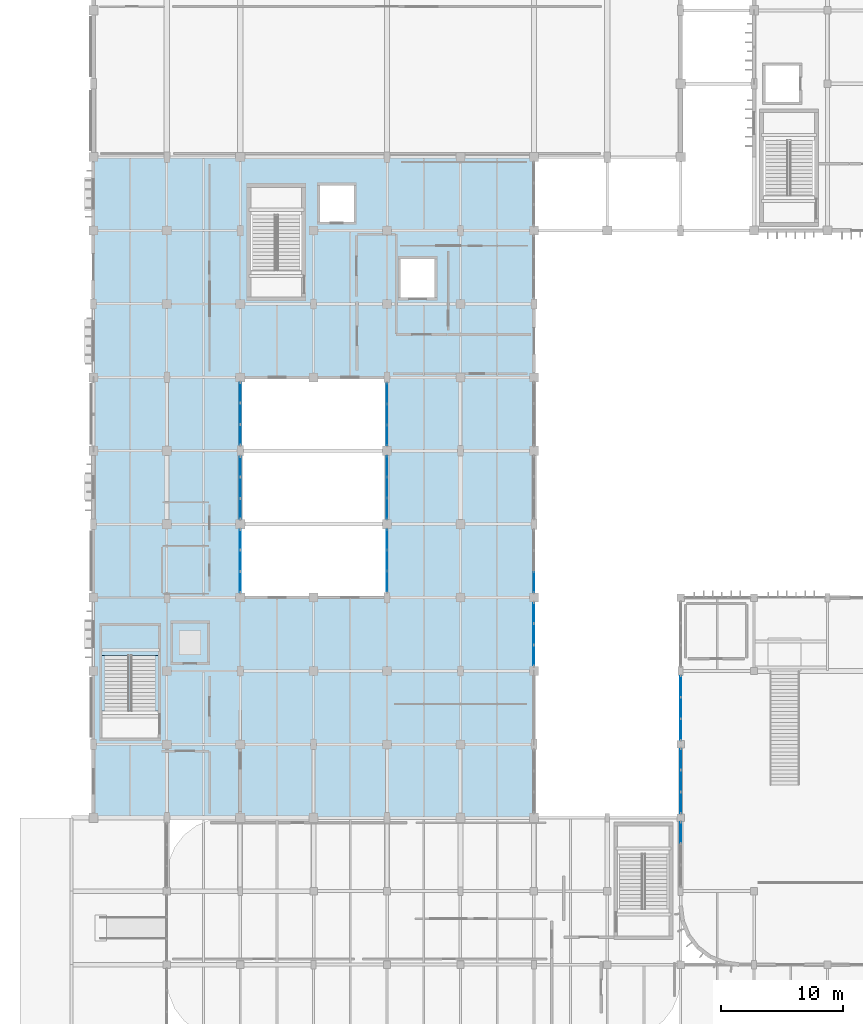
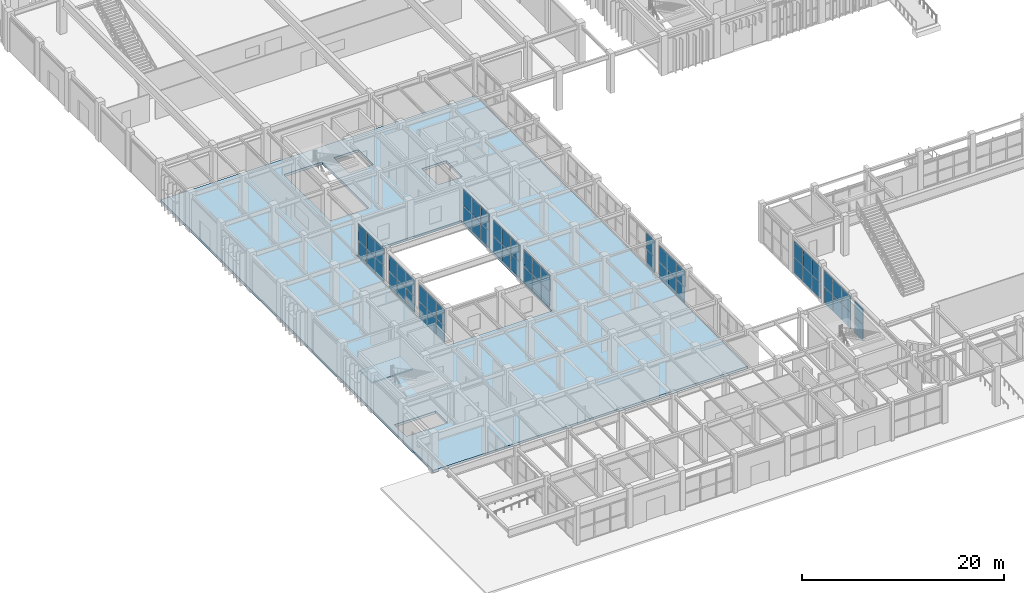
# One storey, part 34 of 76: 58 plates, 2 slabs, 12 elements without a shape of their own.
"""IFC4 building model written with IfcOpenShell, lengths in metres."""

from ifc_helpers import new_model, si_unit, direction, frame, origin, origin_2d, place, context, subcontext, project, spatial, polyline, rectangle, outline, extrude, material, layer, layer_set, type_object, element, aggregate, save


model = new_model("IFC4")

# Units and contexts
model_context = context("Model", 3, precision=1e-05, world=origin(), true_north=direction((0.0, 1.0)))
body_context = subcontext(model_context, "Body", "Model", "MODEL_VIEW")
ifc_project = project(units=[si_unit("LENGTHUNIT", "METRE"), si_unit("AREAUNIT", "SQUARE_METRE"), si_unit("VOLUMEUNIT", "CUBIC_METRE"), si_unit("PLANEANGLEUNIT", "RADIAN"), si_unit("MASSUNIT", "GRAM", prefix="KILO")], contexts=[model_context])

# Site, building, storey
site_placement = place(None, origin())
site = spatial("IfcSite", under=ifc_project, at=site_placement, CompositionType="ELEMENT")
building_placement = place(site_placement, origin())
building = spatial("IfcBuilding", under=site, at=building_placement, Name="Varnakota Square Police Headquarters", CompositionType="ELEMENT")
storey_placement = place(building_placement, origin())
storey = spatial("IfcBuildingStorey", under=building, at=storey_placement, Name="L00", CompositionType="ELEMENT", Elevation=0.0)

# Curtain wall, plates
ifc_material_1 = material(Name="Anodised Aluminium Framing", Category="aluminium")
curtain_wall_type_1 = type_object("IfcCurtainWallType", Name="CW-SYS-F", PredefinedType="NOTDEFINED", material=ifc_material_1)
curtain_wall_1_placement = place(storey_placement, origin())
curtain_wall_1 = element("IfcCurtainWall", 1, at=curtain_wall_1_placement, inside=storey, type_object=curtain_wall_type_1, Name="Unitised curtain wall CWG-L00-135", PredefinedType="NOTDEFINED")
ifc_material_2 = material(Name="Solar-Control Laminated Double Glazing", Category="glass")
ifc_layer_1 = layer(ifc_material_2, 0.028076171875, Name="Solar-Control Laminated Double Glazing")
ifc_layer_set_1 = layer_set([ifc_layer_1], Name="Solar-Control Laminated Double Glazing")
plate_type_1 = type_object("IfcPlateType", Name="CWP-GLZ-28", PredefinedType="CURTAIN_PANEL", material=ifc_layer_set_1)
plate_1_placement = place(storey_placement, frame((30.0, 40.313720703125, 0.074951171875), z_axis=(0.0, 0.0, 1.0), x_axis=(0.0, 1.0, 0.0)))
plate_1 = element("IfcPlate", 2, at=plate_1_placement, type_object=plate_type_1, Name="CWG-L00-135 panel 1.1", PredefinedType="CURTAIN_PANEL", context=body_context, shape_type="SweptSolid", body=[
    extrude(rectangle(XDim=1.617431640625, YDim=0.028076171875, at=origin_2d()), origin(), (0.0, 0.0, 1.0), 1.9326171875),
])
plate_2_placement = place(storey_placement, frame((30.0, 42.02490234375, 0.074951171875), z_axis=(0.0, 0.0, 1.0), x_axis=(0.0, 1.0, 0.0)))
plate_2 = element("IfcPlate", 3, at=plate_2_placement, type_object=plate_type_1, Name="CWG-L00-135 panel 2.1", PredefinedType="CURTAIN_PANEL", context=body_context, shape_type="SweptSolid", body=[
    extrude(rectangle(XDim=1.655029296875, YDim=0.028076171875, at=origin_2d()), origin(), (0.0, 0.0, 1.0), 1.9326171875),
])
plate_3_placement = place(storey_placement, frame((30.0, 43.736328125, 0.074951171875), z_axis=(0.0, 0.0, 1.0), x_axis=(0.0, 1.0, 0.0)))
plate_3 = element("IfcPlate", 4, at=plate_3_placement, type_object=plate_type_1, Name="CWG-L00-135 panel 3.1", PredefinedType="CURTAIN_PANEL", context=body_context, shape_type="SweptSolid", body=[
    extrude(rectangle(XDim=1.617431640625, YDim=0.028076171875, at=origin_2d()), origin(), (0.0, 0.0, 1.0), 1.9326171875),
])

curtain_wall_2_placement = place(storey_placement, origin())
curtain_wall_2 = element("IfcCurtainWall", 5, at=curtain_wall_2_placement, inside=storey, type_object=curtain_wall_type_1, Name="Unitised curtain wall CWG-L00-139", PredefinedType="NOTDEFINED")
plate_4_placement = place(storey_placement, frame((30.0, 52.263671875, 0.074951171875), z_axis=(0.0, 0.0, 1.0), x_axis=(0.0, 1.0, 0.0)))
plate_4 = element("IfcPlate", 6, at=plate_4_placement, type_object=plate_type_1, Name="CWG-L00-139 panel 1.1", PredefinedType="CURTAIN_PANEL", context=body_context, shape_type="SweptSolid", body=[
    extrude(rectangle(XDim=1.617431640625, YDim=0.028076171875, at=origin_2d()), origin(), (0.0, 0.0, 1.0), 1.970703125),
])
plate_5_placement = place(storey_placement, frame((30.0, 53.97509765625, 0.074951171875), z_axis=(0.0, 0.0, 1.0), x_axis=(0.0, 1.0, 0.0)))
plate_5 = element("IfcPlate", 7, at=plate_5_placement, type_object=plate_type_1, Name="CWG-L00-139 panel 2.1", PredefinedType="CURTAIN_PANEL", context=body_context, shape_type="SweptSolid", body=[
    extrude(rectangle(XDim=1.655029296875, YDim=0.028076171875, at=origin_2d()), origin(), (0.0, 0.0, 1.0), 1.970703125),
])
plate_6_placement = place(storey_placement, frame((30.0, 55.686279296875, 0.074951171875), z_axis=(0.0, 0.0, 1.0), x_axis=(0.0, 1.0, 0.0)))
plate_6 = element("IfcPlate", 8, at=plate_6_placement, type_object=plate_type_1, Name="CWG-L00-139 panel 3.1", PredefinedType="CURTAIN_PANEL", context=body_context, shape_type="SweptSolid", body=[
    extrude(rectangle(XDim=1.617431640625, YDim=0.028076171875, at=origin_2d()), origin(), (0.0, 0.0, 1.0), 1.970703125),
])

# Curtain wall, plate
curtain_wall_type_2 = type_object("IfcCurtainWallType", Name="CW-SYS-A", PredefinedType="NOTDEFINED", material=ifc_material_1)
curtain_wall_3_placement = place(storey_placement, origin())
curtain_wall_3 = element("IfcCurtainWall", 9, at=curtain_wall_3_placement, inside=storey, type_object=curtain_wall_type_2, Name="Unitised curtain wall CWG-L00-008", PredefinedType="NOTDEFINED")
ifc_material_3 = material(Name="Acoustic Laminated Double Glazing", Category="glass")
ifc_layer_2 = layer(ifc_material_3, 0.031982421875, Name="Acoustic Laminated Double Glazing")
ifc_layer_set_2 = layer_set([ifc_layer_2], Name="Acoustic Laminated Double Glazing")
plate_type_2 = type_object("IfcPlateType", Name="CWP-GLZ-32", PredefinedType="CURTAIN_PANEL", material=ifc_layer_set_2)
plate_7_placement = place(storey_placement, frame((54.0, 19.7861328125, 0.074951171875), z_axis=(0.0, 0.0, 1.0), x_axis=(0.0, 1.0, 0.0)))
plate_7 = element("IfcPlate", 10, at=plate_7_placement, type_object=plate_type_2, Name="CWG-L00-008 panel 3.1", PredefinedType="CURTAIN_PANEL", context=body_context, shape_type="SweptSolid", body=[
    extrude(rectangle(XDim=1.66748046875, YDim=0.031982421875, at=origin_2d()), origin(), (0.0, 0.0, 1.0), 1.92919921875),
])

# Curtain wall, plates
curtain_wall_4_placement = place(storey_placement, origin())
curtain_wall_4 = element("IfcCurtainWall", 11, at=curtain_wall_4_placement, inside=storey, type_object=curtain_wall_type_2, Name="Unitised curtain wall CWG-L00-012", PredefinedType="NOTDEFINED")
plate_8_placement = place(storey_placement, frame((54.0, 28.211181640625, 0.06494140625), z_axis=(0.0, 0.0, 1.0), x_axis=(0.0, 1.0, 0.0)))
plate_8 = element("IfcPlate", 12, at=plate_8_placement, type_object=plate_type_2, Name="CWG-L00-012 panel 1.1", PredefinedType="CURTAIN_PANEL", context=body_context, shape_type="SweptSolid", body=[
    extrude(rectangle(XDim=1.6826171875, YDim=0.031982421875, at=origin_2d()), origin(), (0.0, 0.0, 1.0), 1.8974609375),
])
plate_9_placement = place(storey_placement, frame((54.0, 29.97509765625, 0.06494140625), z_axis=(0.0, 0.0, 1.0), x_axis=(0.0, 1.0, 0.0)))
plate_9 = element("IfcPlate", 13, at=plate_9_placement, type_object=plate_type_2, Name="CWG-L00-012 panel 2.1", PredefinedType="CURTAIN_PANEL", context=body_context, shape_type="SweptSolid", body=[
    extrude(rectangle(XDim=1.715087890625, YDim=0.031982421875, at=origin_2d()), origin(), (0.0, 0.0, 1.0), 1.8974609375),
])
plate_10_placement = place(storey_placement, frame((54.0, 31.73876953125, 0.06494140625), z_axis=(0.0, 0.0, 1.0), x_axis=(0.0, 1.0, 0.0)))
plate_10 = element("IfcPlate", 14, at=plate_10_placement, type_object=plate_type_2, Name="CWG-L00-012 panel 3.1", PredefinedType="CURTAIN_PANEL", context=body_context, shape_type="SweptSolid", body=[
    extrude(rectangle(XDim=1.6826171875, YDim=0.031982421875, at=origin_2d()), origin(), (0.0, 0.0, 1.0), 1.8974609375),
])

curtain_wall_type_3 = type_object("IfcCurtainWallType", Name="CW-SYS-D", PredefinedType="NOTDEFINED", material=ifc_material_1)
curtain_wall_5_placement = place(storey_placement, origin())
curtain_wall_5 = element("IfcCurtainWall", 15, at=curtain_wall_5_placement, inside=storey, type_object=curtain_wall_type_3, Name="Unitised curtain wall CWG-L00-128", PredefinedType="NOTDEFINED")
plate_11_placement = place(storey_placement, frame((42.0, 34.27197265625, 0.0751953125), z_axis=(0.0, 0.0, 1.0), x_axis=(0.0, 1.0, 0.0)))
plate_11 = element("IfcPlate", 16, at=plate_11_placement, type_object=plate_type_2, Name="CWG-L00-128 panel 1.1", PredefinedType="CURTAIN_PANEL", context=body_context, shape_type="SweptSolid", body=[
    extrude(rectangle(XDim=1.63427734375, YDim=0.031982421875, at=origin_2d()), origin(), (0.0, 0.0, 1.0), 1.907470703125),
])
plate_12_placement = place(storey_placement, frame((42.0, 36.0, 0.0751953125), z_axis=(0.0, 0.0, 1.0), x_axis=(0.0, 1.0, 0.0)))
plate_12 = element("IfcPlate", 17, at=plate_12_placement, type_object=plate_type_2, Name="CWG-L00-128 panel 2.1", PredefinedType="CURTAIN_PANEL", context=body_context, shape_type="SweptSolid", body=[
    extrude(rectangle(XDim=1.671630859375, YDim=0.031982421875, at=origin_2d()), origin(), (0.0, 0.0, 1.0), 1.907470703125),
])
plate_13_placement = place(storey_placement, frame((42.0, 37.72802734375, 0.0751953125), z_axis=(0.0, 0.0, 1.0), x_axis=(0.0, 1.0, 0.0)))
plate_13 = element("IfcPlate", 18, at=plate_13_placement, type_object=plate_type_2, Name="CWG-L00-128 panel 3.1", PredefinedType="CURTAIN_PANEL", context=body_context, shape_type="SweptSolid", body=[
    extrude(rectangle(XDim=1.63427734375, YDim=0.031982421875, at=origin_2d()), origin(), (0.0, 0.0, 1.0), 1.907470703125),
])

curtain_wall_6_placement = place(storey_placement, origin())
curtain_wall_6 = element("IfcCurtainWall", 19, at=curtain_wall_6_placement, inside=storey, type_object=curtain_wall_type_1, Name="Unitised curtain wall CWG-L00-136", PredefinedType="NOTDEFINED")
plate_14_placement = place(storey_placement, frame((18.0, 46.263671875, 0.074951171875), z_axis=(0.0, 0.0, 1.0), x_axis=(0.0, 1.0, 0.0)))
plate_14 = element("IfcPlate", 20, at=plate_14_placement, type_object=plate_type_2, Name="CWG-L00-136 panel 1.1", PredefinedType="CURTAIN_PANEL", context=body_context, shape_type="SweptSolid", body=[
    extrude(rectangle(XDim=1.617431640625, YDim=0.031982421875, at=origin_2d()), origin(), (0.0, 0.0, 1.0), 1.92919921875),
])
plate_15_placement = place(storey_placement, frame((18.0, 47.97509765625, 0.074951171875), z_axis=(0.0, 0.0, 1.0), x_axis=(0.0, 1.0, 0.0)))
plate_15 = element("IfcPlate", 21, at=plate_15_placement, type_object=plate_type_2, Name="CWG-L00-136 panel 2.1", PredefinedType="CURTAIN_PANEL", context=body_context, shape_type="SweptSolid", body=[
    extrude(rectangle(XDim=1.655029296875, YDim=0.031982421875, at=origin_2d()), origin(), (0.0, 0.0, 1.0), 1.92919921875),
])
plate_16_placement = place(storey_placement, frame((18.0, 49.686279296875, 0.074951171875), z_axis=(0.0, 0.0, 1.0), x_axis=(0.0, 1.0, 0.0)))
plate_16 = element("IfcPlate", 22, at=plate_16_placement, type_object=plate_type_2, Name="CWG-L00-136 panel 3.1", PredefinedType="CURTAIN_PANEL", context=body_context, shape_type="SweptSolid", body=[
    extrude(rectangle(XDim=1.617431640625, YDim=0.031982421875, at=origin_2d()), origin(), (0.0, 0.0, 1.0), 1.92919921875),
])

# Curtain wall, plate
curtain_wall_7_placement = place(storey_placement, origin())
curtain_wall_7 = element("IfcCurtainWall", 23, at=curtain_wall_7_placement, inside=storey, type_object=curtain_wall_type_3, Name="Unitised curtain wall CWG-L00-129", PredefinedType="NOTDEFINED")
ifc_material_4 = material(Name="Blast-Resistant Laminated Glazing", Category="glass")
ifc_layer_3 = layer(ifc_material_4, 0.035888671875, Name="Blast-Resistant Laminated Glazing")
ifc_layer_set_3 = layer_set([ifc_layer_3], Name="Blast-Resistant Laminated Glazing")
plate_type_3 = type_object("IfcPlateType", Name="CWP-GLZ-36", PredefinedType="CURTAIN_PANEL", material=ifc_layer_set_3)
plate_17_placement = place(storey_placement, frame((42.0, 40.263671875, 0.074951171875), z_axis=(0.0, 0.0, 1.0), x_axis=(0.0, 1.0, 0.0)))
plate_17 = element("IfcPlate", 24, at=plate_17_placement, type_object=plate_type_3, Name="CWG-L00-129 panel 1.1", PredefinedType="CURTAIN_PANEL", context=body_context, shape_type="SweptSolid", body=[
    extrude(rectangle(XDim=1.617431640625, YDim=0.035888671875, at=origin_2d()), origin(), (0.0, 0.0, 1.0), 1.9326171875),
])

# Curtain wall, plates
curtain_wall_8_placement = place(storey_placement, origin())
curtain_wall_8 = element("IfcCurtainWall", 25, at=curtain_wall_8_placement, inside=storey, type_object=curtain_wall_type_1, Name="Unitised curtain wall CWG-L00-137", PredefinedType="NOTDEFINED")
plate_18_placement = place(storey_placement, frame((30.0, 46.27197265625, 0.074951171875), z_axis=(0.0, 0.0, 1.0), x_axis=(0.0, 1.0, 0.0)))
plate_18 = element("IfcPlate", 26, at=plate_18_placement, type_object=plate_type_3, Name="CWG-L00-137 panel 1.1", PredefinedType="CURTAIN_PANEL", context=body_context, shape_type="SweptSolid", body=[
    extrude(rectangle(XDim=1.63427734375, YDim=0.035888671875, at=origin_2d()), origin(), (0.0, 0.0, 1.0), 1.92919921875),
])
plate_19_placement = place(storey_placement, frame((30.0, 48.0, 0.074951171875), z_axis=(0.0, 0.0, 1.0), x_axis=(0.0, 1.0, 0.0)))
plate_19 = element("IfcPlate", 27, at=plate_19_placement, type_object=plate_type_3, Name="CWG-L00-137 panel 2.1", PredefinedType="CURTAIN_PANEL", context=body_context, shape_type="SweptSolid", body=[
    extrude(rectangle(XDim=1.671630859375, YDim=0.035888671875, at=origin_2d()), origin(), (0.0, 0.0, 1.0), 1.92919921875),
])
plate_20_placement = place(storey_placement, frame((30.0, 49.72802734375, 0.074951171875), z_axis=(0.0, 0.0, 1.0), x_axis=(0.0, 1.0, 0.0)))
plate_20 = element("IfcPlate", 28, at=plate_20_placement, type_object=plate_type_3, Name="CWG-L00-137 panel 3.1", PredefinedType="CURTAIN_PANEL", context=body_context, shape_type="SweptSolid", body=[
    extrude(rectangle(XDim=1.63427734375, YDim=0.035888671875, at=origin_2d()), origin(), (0.0, 0.0, 1.0), 1.92919921875),
])

curtain_wall_9_placement = place(storey_placement, origin())
curtain_wall_9 = element("IfcCurtainWall", 29, at=curtain_wall_9_placement, inside=storey, type_object=curtain_wall_type_2, Name="Unitised curtain wall CWG-L00-010", PredefinedType="NOTDEFINED")
ifc_material_5 = material(Name="Triple-Glazed Clean-Lab Vision Unit", Category="aluminium")
ifc_layer_4 = layer(ifc_material_5, 0.0419921875, Name="Triple-Glazed Clean-Lab Vision Unit")
ifc_layer_set_4 = layer_set([ifc_layer_4], Name="Triple-Glazed Clean-Lab Vision Unit")
plate_type_4 = type_object("IfcPlateType", Name="CWP-GLZ-42", PredefinedType="CURTAIN_PANEL", material=ifc_layer_set_4)
plate_21_placement = place(storey_placement, frame((54.0, 22.22216796875, 0.074951171875), z_axis=(0.0, 0.0, 1.0), x_axis=(0.0, 1.0, 0.0)))
plate_21 = element("IfcPlate", 30, at=plate_21_placement, type_object=plate_type_4, Name="CWG-L00-010 panel 1.1", PredefinedType="CURTAIN_PANEL", context=body_context, shape_type="SweptSolid", body=[
    extrude(rectangle(XDim=1.68408203125, YDim=0.0419921875, at=origin_2d()), origin(), (0.0, 0.0, 1.0), 1.92919921875),
])
plate_22_placement = place(storey_placement, frame((54.0, 24.0, 0.074951171875), z_axis=(0.0, 0.0, 1.0), x_axis=(0.0, 1.0, 0.0)))
plate_22 = element("IfcPlate", 31, at=plate_22_placement, type_object=plate_type_4, Name="CWG-L00-010 panel 2.1", PredefinedType="CURTAIN_PANEL", context=body_context, shape_type="SweptSolid", body=[
    extrude(rectangle(XDim=1.7216796875, YDim=0.0419921875, at=origin_2d()), origin(), (0.0, 0.0, 1.0), 1.92919921875),
])
plate_23_placement = place(storey_placement, frame((54.0, 25.77783203125, 0.074951171875), z_axis=(0.0, 0.0, 1.0), x_axis=(0.0, 1.0, 0.0)))
plate_23 = element("IfcPlate", 32, at=plate_23_placement, type_object=plate_type_4, Name="CWG-L00-010 panel 3.1", PredefinedType="CURTAIN_PANEL", context=body_context, shape_type="SweptSolid", body=[
    extrude(rectangle(XDim=1.68408203125, YDim=0.0419921875, at=origin_2d()), origin(), (0.0, 0.0, 1.0), 1.92919921875),
])

curtain_wall_10_placement = place(storey_placement, origin())
curtain_wall_10 = element("IfcCurtainWall", 33, at=curtain_wall_10_placement, inside=storey, type_object=curtain_wall_type_1, Name="Unitised curtain wall CWG-L00-134", PredefinedType="NOTDEFINED")
plate_24_placement = place(storey_placement, frame((18.0, 40.27197265625, 0.074951171875), z_axis=(0.0, 0.0, 1.0), x_axis=(0.0, 1.0, 0.0)))
plate_24 = element("IfcPlate", 34, at=plate_24_placement, type_object=plate_type_4, Name="CWG-L00-134 panel 1.1", PredefinedType="CURTAIN_PANEL", context=body_context, shape_type="SweptSolid", body=[
    extrude(rectangle(XDim=1.63427734375, YDim=0.0419921875, at=origin_2d()), origin(), (0.0, 0.0, 1.0), 1.9326171875),
])
plate_25_placement = place(storey_placement, frame((18.0, 42.0, 0.074951171875), z_axis=(0.0, 0.0, 1.0), x_axis=(0.0, 1.0, 0.0)))
plate_25 = element("IfcPlate", 35, at=plate_25_placement, type_object=plate_type_4, Name="CWG-L00-134 panel 2.1", PredefinedType="CURTAIN_PANEL", context=body_context, shape_type="SweptSolid", body=[
    extrude(rectangle(XDim=1.671630859375, YDim=0.0419921875, at=origin_2d()), origin(), (0.0, 0.0, 1.0), 1.9326171875),
])
plate_26_placement = place(storey_placement, frame((18.0, 43.72802734375, 0.074951171875), z_axis=(0.0, 0.0, 1.0), x_axis=(0.0, 1.0, 0.0)))
plate_26 = element("IfcPlate", 36, at=plate_26_placement, type_object=plate_type_4, Name="CWG-L00-134 panel 3.1", PredefinedType="CURTAIN_PANEL", context=body_context, shape_type="SweptSolid", body=[
    extrude(rectangle(XDim=1.63427734375, YDim=0.0419921875, at=origin_2d()), origin(), (0.0, 0.0, 1.0), 1.9326171875),
])

curtain_wall_11_placement = place(storey_placement, origin())
curtain_wall_11 = element("IfcCurtainWall", 37, at=curtain_wall_11_placement, inside=storey, type_object=curtain_wall_type_1, Name="Unitised curtain wall CWG-L00-138", PredefinedType="NOTDEFINED")
plate_27_placement = place(storey_placement, frame((18.0, 52.313720703125, 0.074951171875), z_axis=(0.0, 0.0, 1.0), x_axis=(0.0, 1.0, 0.0)))
plate_27 = element("IfcPlate", 38, at=plate_27_placement, type_object=plate_type_4, Name="CWG-L00-138 panel 1.1", PredefinedType="CURTAIN_PANEL", context=body_context, shape_type="SweptSolid", body=[
    extrude(rectangle(XDim=1.617431640625, YDim=0.0419921875, at=origin_2d()), origin(), (0.0, 0.0, 1.0), 1.970703125),
])
plate_28_placement = place(storey_placement, frame((18.0, 54.02490234375, 0.074951171875), z_axis=(0.0, 0.0, 1.0), x_axis=(0.0, 1.0, 0.0)))
plate_28 = element("IfcPlate", 39, at=plate_28_placement, type_object=plate_type_4, Name="CWG-L00-138 panel 2.1", PredefinedType="CURTAIN_PANEL", context=body_context, shape_type="SweptSolid", body=[
    extrude(rectangle(XDim=1.655029296875, YDim=0.0419921875, at=origin_2d()), origin(), (0.0, 0.0, 1.0), 1.970703125),
])
plate_29_placement = place(storey_placement, frame((18.0, 55.736328125, 0.074951171875), z_axis=(0.0, 0.0, 1.0), x_axis=(0.0, 1.0, 0.0)))
plate_29 = element("IfcPlate", 40, at=plate_29_placement, type_object=plate_type_4, Name="CWG-L00-138 panel 3.1", PredefinedType="CURTAIN_PANEL", context=body_context, shape_type="SweptSolid", body=[
    extrude(rectangle(XDim=1.617431640625, YDim=0.0419921875, at=origin_2d()), origin(), (0.0, 0.0, 1.0), 1.970703125),
])

# Plate
ifc_material_6 = material(Name="Insulated Anodised Aluminium Spandrel Panel", Category="aluminium")
ifc_layer_5 = layer(ifc_material_6, 0.050048828125, Name="Insulated Anodised Aluminium Spandrel Panel")
ifc_layer_set_5 = layer_set([ifc_layer_5], Name="Insulated Anodised Aluminium Spandrel Panel")
plate_type_5 = type_object("IfcPlateType", Name="CWP-SPN-50", PredefinedType="CURTAIN_PANEL", material=ifc_layer_set_5)
plate_30_placement = place(storey_placement, frame((42.0, 40.263671875, 2.08251953125), z_axis=(0.0, 0.0, 1.0), x_axis=(0.0, 1.0, 0.0)))
plate_30 = element("IfcPlate", 41, at=plate_30_placement, type_object=plate_type_5, Name="CWG-L00-129 panel 1.2", PredefinedType="CURTAIN_PANEL", context=body_context, shape_type="SweptSolid", body=[
    extrude(rectangle(XDim=1.617431640625, YDim=0.050048828125, at=origin_2d()), origin(), (0.0, 0.0, 1.0), 1.9326171875),
])

aggregate(curtain_wall_7, [plate_17, plate_30])

plate_31_placement = place(storey_placement, frame((30.0, 40.313720703125, 2.08251953125), z_axis=(0.0, 0.0, 1.0), x_axis=(0.0, 1.0, 0.0)))
plate_31 = element("IfcPlate", 42, at=plate_31_placement, type_object=plate_type_5, Name="CWG-L00-135 panel 1.2", PredefinedType="CURTAIN_PANEL", context=body_context, shape_type="SweptSolid", body=[
    extrude(rectangle(XDim=1.617431640625, YDim=0.050048828125, at=origin_2d()), origin(), (0.0, 0.0, 1.0), 1.9326171875),
])

plate_32_placement = place(storey_placement, frame((30.0, 42.02490234375, 2.08251953125), z_axis=(0.0, 0.0, 1.0), x_axis=(0.0, 1.0, 0.0)))
plate_32 = element("IfcPlate", 43, at=plate_32_placement, type_object=plate_type_5, Name="CWG-L00-135 panel 2.2", PredefinedType="CURTAIN_PANEL", context=body_context, shape_type="SweptSolid", body=[
    extrude(rectangle(XDim=1.655029296875, YDim=0.050048828125, at=origin_2d()), origin(), (0.0, 0.0, 1.0), 1.9326171875),
])

plate_33_placement = place(storey_placement, frame((30.0, 43.736328125, 2.08251953125), z_axis=(0.0, 0.0, 1.0), x_axis=(0.0, 1.0, 0.0)))
plate_33 = element("IfcPlate", 44, at=plate_33_placement, type_object=plate_type_5, Name="CWG-L00-135 panel 3.2", PredefinedType="CURTAIN_PANEL", context=body_context, shape_type="SweptSolid", body=[
    extrude(rectangle(XDim=1.617431640625, YDim=0.050048828125, at=origin_2d()), origin(), (0.0, 0.0, 1.0), 1.9326171875),
])

aggregate(curtain_wall_1, [plate_1, plate_31, plate_2, plate_32, plate_3, plate_33])

plate_34_placement = place(storey_placement, frame((30.0, 46.27197265625, 2.079345703125), z_axis=(0.0, 0.0, 1.0), x_axis=(0.0, 1.0, 0.0)))
plate_34 = element("IfcPlate", 45, at=plate_34_placement, type_object=plate_type_5, Name="CWG-L00-137 panel 1.2", PredefinedType="CURTAIN_PANEL", context=body_context, shape_type="SweptSolid", body=[
    extrude(rectangle(XDim=1.63427734375, YDim=0.050048828125, at=origin_2d()), origin(), (0.0, 0.0, 1.0), 1.92919921875),
])

plate_35_placement = place(storey_placement, frame((30.0, 48.0, 2.079345703125), z_axis=(0.0, 0.0, 1.0), x_axis=(0.0, 1.0, 0.0)))
plate_35 = element("IfcPlate", 46, at=plate_35_placement, type_object=plate_type_5, Name="CWG-L00-137 panel 2.2", PredefinedType="CURTAIN_PANEL", context=body_context, shape_type="SweptSolid", body=[
    extrude(rectangle(XDim=1.671630859375, YDim=0.050048828125, at=origin_2d()), origin(), (0.0, 0.0, 1.0), 1.92919921875),
])

plate_36_placement = place(storey_placement, frame((30.0, 49.72802734375, 2.079345703125), z_axis=(0.0, 0.0, 1.0), x_axis=(0.0, 1.0, 0.0)))
plate_36 = element("IfcPlate", 47, at=plate_36_placement, type_object=plate_type_5, Name="CWG-L00-137 panel 3.2", PredefinedType="CURTAIN_PANEL", context=body_context, shape_type="SweptSolid", body=[
    extrude(rectangle(XDim=1.63427734375, YDim=0.050048828125, at=origin_2d()), origin(), (0.0, 0.0, 1.0), 1.92919921875),
])

aggregate(curtain_wall_8, [plate_18, plate_34, plate_19, plate_35, plate_20, plate_36])

plate_37_placement = place(storey_placement, frame((30.0, 52.263671875, 2.12060546875), z_axis=(0.0, 0.0, 1.0), x_axis=(0.0, 1.0, 0.0)))
plate_37 = element("IfcPlate", 48, at=plate_37_placement, type_object=plate_type_5, Name="CWG-L00-139 panel 1.2", PredefinedType="CURTAIN_PANEL", context=body_context, shape_type="SweptSolid", body=[
    extrude(rectangle(XDim=1.617431640625, YDim=0.050048828125, at=origin_2d()), origin(), (0.0, 0.0, 1.0), 1.970458984375),
])

plate_38_placement = place(storey_placement, frame((30.0, 53.97509765625, 2.12060546875), z_axis=(0.0, 0.0, 1.0), x_axis=(0.0, 1.0, 0.0)))
plate_38 = element("IfcPlate", 49, at=plate_38_placement, type_object=plate_type_5, Name="CWG-L00-139 panel 2.2", PredefinedType="CURTAIN_PANEL", context=body_context, shape_type="SweptSolid", body=[
    extrude(rectangle(XDim=1.655029296875, YDim=0.050048828125, at=origin_2d()), origin(), (0.0, 0.0, 1.0), 1.970458984375),
])

plate_39_placement = place(storey_placement, frame((30.0, 55.686279296875, 2.12060546875), z_axis=(0.0, 0.0, 1.0), x_axis=(0.0, 1.0, 0.0)))
plate_39 = element("IfcPlate", 50, at=plate_39_placement, type_object=plate_type_5, Name="CWG-L00-139 panel 3.2", PredefinedType="CURTAIN_PANEL", context=body_context, shape_type="SweptSolid", body=[
    extrude(rectangle(XDim=1.617431640625, YDim=0.050048828125, at=origin_2d()), origin(), (0.0, 0.0, 1.0), 1.970458984375),
])

aggregate(curtain_wall_2, [plate_4, plate_37, plate_5, plate_38, plate_6, plate_39])

ifc_material_7 = material(Name="Fire-Stopped Mineral-Wool Spandrel Panel", Category="aluminium")
ifc_layer_6 = layer(ifc_material_7, 0.06005859375, Name="Fire-Stopped Mineral-Wool Spandrel Panel")
ifc_layer_set_6 = layer_set([ifc_layer_6], Name="Fire-Stopped Mineral-Wool Spandrel Panel")
plate_type_6 = type_object("IfcPlateType", Name="CWP-SPN-60", PredefinedType="CURTAIN_PANEL", material=ifc_layer_set_6)
plate_40_placement = place(storey_placement, frame((54.0, 19.7861328125, 2.079345703125), z_axis=(0.0, 0.0, 1.0), x_axis=(0.0, 1.0, 0.0)))
plate_40 = element("IfcPlate", 51, at=plate_40_placement, type_object=plate_type_6, Name="CWG-L00-008 panel 3.2", PredefinedType="CURTAIN_PANEL", context=body_context, shape_type="SweptSolid", body=[
    extrude(rectangle(XDim=1.66748046875, YDim=0.06005859375, at=origin_2d()), origin(), (0.0, 0.0, 1.0), 1.92919921875),
])

aggregate(curtain_wall_3, [plate_7, plate_40])

plate_41_placement = place(storey_placement, frame((54.0, 22.22216796875, 2.079345703125), z_axis=(0.0, 0.0, 1.0), x_axis=(0.0, 1.0, 0.0)))
plate_41 = element("IfcPlate", 52, at=plate_41_placement, type_object=plate_type_6, Name="CWG-L00-010 panel 1.2", PredefinedType="CURTAIN_PANEL", context=body_context, shape_type="SweptSolid", body=[
    extrude(rectangle(XDim=1.68408203125, YDim=0.06005859375, at=origin_2d()), origin(), (0.0, 0.0, 1.0), 1.92919921875),
])

plate_42_placement = place(storey_placement, frame((54.0, 24.0, 2.079345703125), z_axis=(0.0, 0.0, 1.0), x_axis=(0.0, 1.0, 0.0)))
plate_42 = element("IfcPlate", 53, at=plate_42_placement, type_object=plate_type_6, Name="CWG-L00-010 panel 2.2", PredefinedType="CURTAIN_PANEL", context=body_context, shape_type="SweptSolid", body=[
    extrude(rectangle(XDim=1.7216796875, YDim=0.06005859375, at=origin_2d()), origin(), (0.0, 0.0, 1.0), 1.92919921875),
])

plate_43_placement = place(storey_placement, frame((54.0, 25.77783203125, 2.079345703125), z_axis=(0.0, 0.0, 1.0), x_axis=(0.0, 1.0, 0.0)))
plate_43 = element("IfcPlate", 54, at=plate_43_placement, type_object=plate_type_6, Name="CWG-L00-010 panel 3.2", PredefinedType="CURTAIN_PANEL", context=body_context, shape_type="SweptSolid", body=[
    extrude(rectangle(XDim=1.68408203125, YDim=0.06005859375, at=origin_2d()), origin(), (0.0, 0.0, 1.0), 1.92919921875),
])

aggregate(curtain_wall_9, [plate_21, plate_41, plate_22, plate_42, plate_23, plate_43])

plate_44_placement = place(storey_placement, frame((54.0, 28.211181640625, 2.027587890625), z_axis=(0.0, 0.0, 1.0), x_axis=(0.0, 1.0, 0.0)))
plate_44 = element("IfcPlate", 55, at=plate_44_placement, type_object=plate_type_6, Name="CWG-L00-012 panel 1.2", PredefinedType="CURTAIN_PANEL", context=body_context, shape_type="SweptSolid", body=[
    extrude(rectangle(XDim=1.6826171875, YDim=0.06005859375, at=origin_2d()), origin(), (0.0, 0.0, 1.0), 1.8974609375),
])

plate_45_placement = place(storey_placement, frame((54.0, 29.97509765625, 2.027587890625), z_axis=(0.0, 0.0, 1.0), x_axis=(0.0, 1.0, 0.0)))
plate_45 = element("IfcPlate", 56, at=plate_45_placement, type_object=plate_type_6, Name="CWG-L00-012 panel 2.2", PredefinedType="CURTAIN_PANEL", context=body_context, shape_type="SweptSolid", body=[
    extrude(rectangle(XDim=1.715087890625, YDim=0.06005859375, at=origin_2d()), origin(), (0.0, 0.0, 1.0), 1.8974609375),
])

plate_46_placement = place(storey_placement, frame((54.0, 31.73876953125, 2.027587890625), z_axis=(0.0, 0.0, 1.0), x_axis=(0.0, 1.0, 0.0)))
plate_46 = element("IfcPlate", 57, at=plate_46_placement, type_object=plate_type_6, Name="CWG-L00-012 panel 3.2", PredefinedType="CURTAIN_PANEL", context=body_context, shape_type="SweptSolid", body=[
    extrude(rectangle(XDim=1.6826171875, YDim=0.06005859375, at=origin_2d()), origin(), (0.0, 0.0, 1.0), 1.8974609375),
])

aggregate(curtain_wall_4, [plate_8, plate_44, plate_9, plate_45, plate_10, plate_46])

plate_47_placement = place(storey_placement, frame((42.0, 34.27197265625, 2.0576171875), z_axis=(0.0, 0.0, 1.0), x_axis=(0.0, 1.0, 0.0)))
plate_47 = element("IfcPlate", 58, at=plate_47_placement, type_object=plate_type_6, Name="CWG-L00-128 panel 1.2", PredefinedType="CURTAIN_PANEL", context=body_context, shape_type="SweptSolid", body=[
    extrude(rectangle(XDim=1.63427734375, YDim=0.06005859375, at=origin_2d()), origin(), (0.0, 0.0, 1.0), 1.907470703125),
])

plate_48_placement = place(storey_placement, frame((42.0, 36.0, 2.0576171875), z_axis=(0.0, 0.0, 1.0), x_axis=(0.0, 1.0, 0.0)))
plate_48 = element("IfcPlate", 59, at=plate_48_placement, type_object=plate_type_6, Name="CWG-L00-128 panel 2.2", PredefinedType="CURTAIN_PANEL", context=body_context, shape_type="SweptSolid", body=[
    extrude(rectangle(XDim=1.671630859375, YDim=0.06005859375, at=origin_2d()), origin(), (0.0, 0.0, 1.0), 1.907470703125),
])

plate_49_placement = place(storey_placement, frame((42.0, 37.72802734375, 2.0576171875), z_axis=(0.0, 0.0, 1.0), x_axis=(0.0, 1.0, 0.0)))
plate_49 = element("IfcPlate", 60, at=plate_49_placement, type_object=plate_type_6, Name="CWG-L00-128 panel 3.2", PredefinedType="CURTAIN_PANEL", context=body_context, shape_type="SweptSolid", body=[
    extrude(rectangle(XDim=1.63427734375, YDim=0.06005859375, at=origin_2d()), origin(), (0.0, 0.0, 1.0), 1.907470703125),
])

aggregate(curtain_wall_5, [plate_11, plate_47, plate_12, plate_48, plate_13, plate_49])

plate_50_placement = place(storey_placement, frame((18.0, 40.27197265625, 2.08251953125), z_axis=(0.0, 0.0, 1.0), x_axis=(0.0, 1.0, 0.0)))
plate_50 = element("IfcPlate", 61, at=plate_50_placement, type_object=plate_type_6, Name="CWG-L00-134 panel 1.2", PredefinedType="CURTAIN_PANEL", context=body_context, shape_type="SweptSolid", body=[
    extrude(rectangle(XDim=1.63427734375, YDim=0.06005859375, at=origin_2d()), origin(), (0.0, 0.0, 1.0), 1.9326171875),
])

plate_51_placement = place(storey_placement, frame((18.0, 42.0, 2.08251953125), z_axis=(0.0, 0.0, 1.0), x_axis=(0.0, 1.0, 0.0)))
plate_51 = element("IfcPlate", 62, at=plate_51_placement, type_object=plate_type_6, Name="CWG-L00-134 panel 2.2", PredefinedType="CURTAIN_PANEL", context=body_context, shape_type="SweptSolid", body=[
    extrude(rectangle(XDim=1.671630859375, YDim=0.06005859375, at=origin_2d()), origin(), (0.0, 0.0, 1.0), 1.9326171875),
])

plate_52_placement = place(storey_placement, frame((18.0, 43.72802734375, 2.08251953125), z_axis=(0.0, 0.0, 1.0), x_axis=(0.0, 1.0, 0.0)))
plate_52 = element("IfcPlate", 63, at=plate_52_placement, type_object=plate_type_6, Name="CWG-L00-134 panel 3.2", PredefinedType="CURTAIN_PANEL", context=body_context, shape_type="SweptSolid", body=[
    extrude(rectangle(XDim=1.63427734375, YDim=0.06005859375, at=origin_2d()), origin(), (0.0, 0.0, 1.0), 1.9326171875),
])

aggregate(curtain_wall_10, [plate_24, plate_50, plate_25, plate_51, plate_26, plate_52])

plate_53_placement = place(storey_placement, frame((18.0, 46.263671875, 2.079345703125), z_axis=(0.0, 0.0, 1.0), x_axis=(0.0, 1.0, 0.0)))
plate_53 = element("IfcPlate", 64, at=plate_53_placement, type_object=plate_type_6, Name="CWG-L00-136 panel 1.2", PredefinedType="CURTAIN_PANEL", context=body_context, shape_type="SweptSolid", body=[
    extrude(rectangle(XDim=1.617431640625, YDim=0.06005859375, at=origin_2d()), origin(), (0.0, 0.0, 1.0), 1.92919921875),
])

plate_54_placement = place(storey_placement, frame((18.0, 47.97509765625, 2.079345703125), z_axis=(0.0, 0.0, 1.0), x_axis=(0.0, 1.0, 0.0)))
plate_54 = element("IfcPlate", 65, at=plate_54_placement, type_object=plate_type_6, Name="CWG-L00-136 panel 2.2", PredefinedType="CURTAIN_PANEL", context=body_context, shape_type="SweptSolid", body=[
    extrude(rectangle(XDim=1.655029296875, YDim=0.06005859375, at=origin_2d()), origin(), (0.0, 0.0, 1.0), 1.92919921875),
])

plate_55_placement = place(storey_placement, frame((18.0, 49.686279296875, 2.079345703125), z_axis=(0.0, 0.0, 1.0), x_axis=(0.0, 1.0, 0.0)))
plate_55 = element("IfcPlate", 66, at=plate_55_placement, type_object=plate_type_6, Name="CWG-L00-136 panel 3.2", PredefinedType="CURTAIN_PANEL", context=body_context, shape_type="SweptSolid", body=[
    extrude(rectangle(XDim=1.617431640625, YDim=0.06005859375, at=origin_2d()), origin(), (0.0, 0.0, 1.0), 1.92919921875),
])

aggregate(curtain_wall_6, [plate_14, plate_53, plate_15, plate_54, plate_16, plate_55])

plate_56_placement = place(storey_placement, frame((18.0, 52.313720703125, 2.12060546875), z_axis=(0.0, 0.0, 1.0), x_axis=(0.0, 1.0, 0.0)))
plate_56 = element("IfcPlate", 67, at=plate_56_placement, type_object=plate_type_6, Name="CWG-L00-138 panel 1.2", PredefinedType="CURTAIN_PANEL", context=body_context, shape_type="SweptSolid", body=[
    extrude(rectangle(XDim=1.617431640625, YDim=0.06005859375, at=origin_2d()), origin(), (0.0, 0.0, 1.0), 1.970458984375),
])

plate_57_placement = place(storey_placement, frame((18.0, 54.02490234375, 2.12060546875), z_axis=(0.0, 0.0, 1.0), x_axis=(0.0, 1.0, 0.0)))
plate_57 = element("IfcPlate", 68, at=plate_57_placement, type_object=plate_type_6, Name="CWG-L00-138 panel 2.2", PredefinedType="CURTAIN_PANEL", context=body_context, shape_type="SweptSolid", body=[
    extrude(rectangle(XDim=1.655029296875, YDim=0.06005859375, at=origin_2d()), origin(), (0.0, 0.0, 1.0), 1.970458984375),
])

plate_58_placement = place(storey_placement, frame((18.0, 55.736328125, 2.12060546875), z_axis=(0.0, 0.0, 1.0), x_axis=(0.0, 1.0, 0.0)))
plate_58 = element("IfcPlate", 69, at=plate_58_placement, type_object=plate_type_6, Name="CWG-L00-138 panel 3.2", PredefinedType="CURTAIN_PANEL", context=body_context, shape_type="SweptSolid", body=[
    extrude(rectangle(XDim=1.617431640625, YDim=0.06005859375, at=origin_2d()), origin(), (0.0, 0.0, 1.0), 1.970458984375),
])

aggregate(curtain_wall_11, [plate_27, plate_56, plate_28, plate_57, plate_29, plate_58])

# Slab
ifc_material_8 = material(Name="Concrete M40", Category="concrete")
ifc_layer_7 = layer(ifc_material_8, 0.300048828125, Name="Concrete M40")
ifc_layer_set_7 = layer_set([ifc_layer_7], Name="Concrete M40")
slab_type_1 = type_object("IfcSlabType", Name="SL-LAB-300", PredefinedType="FLOOR", material=ifc_layer_set_7)
slab_1_placement = place(storey_placement, frame((0.0, 0.0, -0.300048828125)))
element("IfcSlab", 70, at=slab_1_placement, inside=storey, type_object=slab_type_1, Name="L00 Forensic Wing Slab", PredefinedType="FLOOR", context=body_context, shape_type="SweptSolid", body=[
    extrude(outline(polyline([(6.0, 21.0), (42.0, 21.0), (42.0, 75.0), (6.0, 75.0), (6.0, 21.0)]), holes=[polyline([(18.0, 39.0), (30.0, 39.0), (30.0, 57.0), (18.0, 57.0), (18.0, 39.0)]), polyline([(6.655029296875, 27.455078125), (11.344970703125, 27.455078125), (11.344970703125, 29.7548828125), (6.655029296875, 29.7548828125), (6.655029296875, 27.455078125)]), polyline([(18.7548828125, 63.455078125), (23.14501953125, 63.455078125), (23.14501953125, 72.64501953125), (18.7548828125, 72.64501953125), (18.7548828125, 63.455078125)]), polyline([(24.514892578125, 69.715087890625), (27.284912109375, 69.715087890625), (27.284912109375, 72.68505859375), (24.514892578125, 72.68505859375), (24.514892578125, 69.715087890625)]), polyline([(31.114990234375, 63.514892578125), (33.885009765625, 63.514892578125), (33.885009765625, 66.68505859375), (31.114990234375, 66.68505859375), (31.114990234375, 63.514892578125)])]), origin(), (0.0, 0.0, 1.0), 0.300048828125),
])

# Stair, slab
stair_type = type_object("IfcStairType", Name="STR-DOG-2000", PredefinedType="USERDEFINED", material=ifc_material_8)
stair_placement = place(storey_placement, origin())
stair = element("IfcStair", 71, at=stair_placement, inside=storey, type_object=stair_type, Name="Protected exit stair ST4 (L00)", ObjectType="TWO_RETURN_STAIR", PredefinedType="USERDEFINED")
ifc_layer_8 = layer(ifc_material_8, 0.166015625, Name="Concrete M40")
ifc_layer_set_8 = layer_set([ifc_layer_8], Name="Concrete M40")
slab_type_2 = type_object("IfcSlabType", Name="SLB-LND-2000", PredefinedType="LANDING", material=ifc_layer_set_8)
slab_2_placement = place(storey_placement, frame((0.0, 0.0, 2.23388671875)))
slab_2 = element("IfcSlab", 72, at=slab_2_placement, type_object=slab_type_2, Name="ST4-L00 landing 1", PredefinedType="LANDING", context=body_context, shape_type="SweptSolid", body=[
    extrude(outline(polyline([(6.659912109375, 34.250732421875), (11.340087890625, 34.250732421875), (11.340087890625, 36.739990234375), (6.659912109375, 36.739990234375), (6.659912109375, 34.250732421875)])), origin(), (0.0, 0.0, 1.0), 0.166015625),
])
aggregate(stair, [slab_2])

save(model, "model.ifc")
